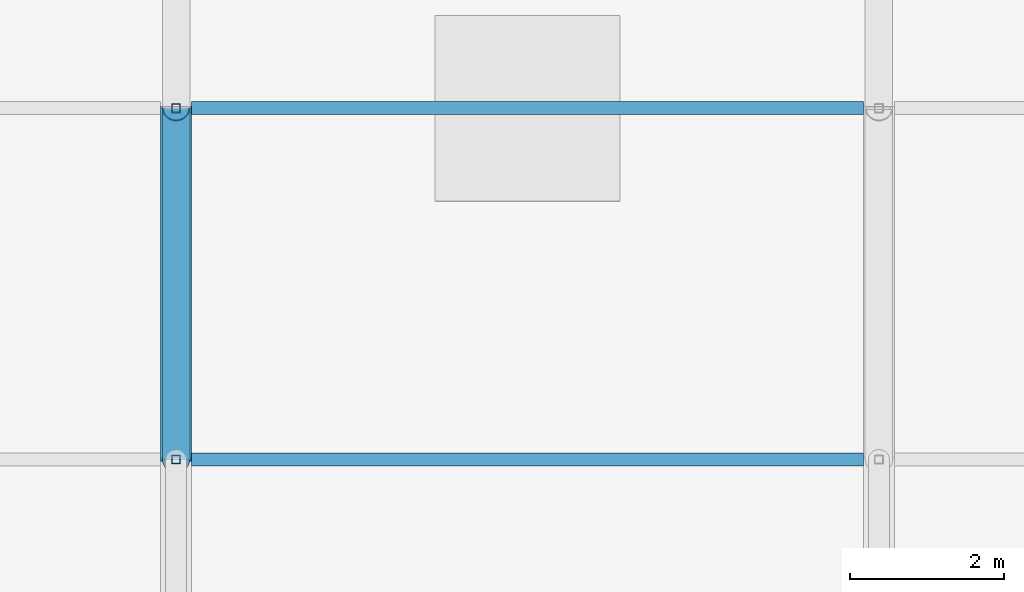
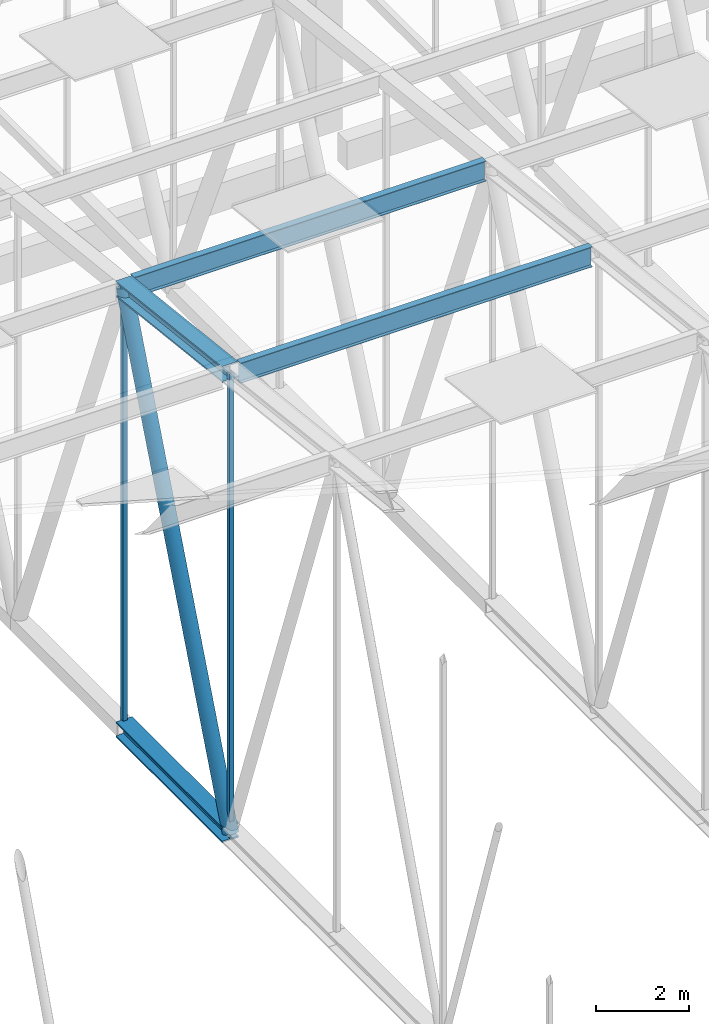
# One storey, part 265 of 500: 7 members.
"""IFC4 building model written with IfcOpenShell, lengths in metres."""

from ifc_helpers import new_model, si_unit, direction, frame, origin, origin_2d, place, context, subcontext, project, spatial, hollow_rectangle, hollow_circle, i_section, extrude, material, material_profile, profile_set, type_object, element, save


model = new_model("IFC4")

# Units and contexts
model_context = context("Model", 3, precision=1e-05, world=origin(), true_north=direction((0.0, 1.0)))
body_context = subcontext(model_context, "Body", "Model", "MODEL_VIEW")
ifc_project = project(units=[si_unit("LENGTHUNIT", "METRE"), si_unit("AREAUNIT", "SQUARE_METRE"), si_unit("VOLUMEUNIT", "CUBIC_METRE"), si_unit("PLANEANGLEUNIT", "RADIAN"), si_unit("MASSUNIT", "GRAM", prefix="KILO")], contexts=[model_context])

# Site, building, storey
site_placement = place(None, origin())
site = spatial("IfcSite", under=ifc_project, at=site_placement, CompositionType="ELEMENT")
building_placement = place(site_placement, origin())
building = spatial("IfcBuilding", under=site, at=building_placement, Name="Shirokan Park Arena", CompositionType="ELEMENT")
storey_placement = place(building_placement, frame((0.0, 0.0, 29.1201171875)))
storey = spatial("IfcBuildingStorey", under=building, at=storey_placement, Name="L06", CompositionType="ELEMENT", Elevation=29.1201171875)

# Members
ifc_material_1 = material(Name="Steel ASTM A992", Category="steel")
ifc_material_profile_1 = material_profile(ifc_material_1, i_section(OverallWidth=0.40087890625, OverallDepth=0.39892578125, WebThickness=0.02490234375, FlangeThickness=0.03955078125, at=origin_2d()), Name="W360X314")
ifc_profile_set_1 = profile_set([ifc_material_profile_1], Name="Steel ASTM A992")
member_type_1 = type_object("IfcMemberType", Name="Bottom chord W360X314", PredefinedType="CHORD", material=ifc_profile_set_1)
member_1_placement = place(storey_placement, frame((63.699951171875, 72.800048828125, 4.677001953125), z_axis=(0.0, 1.0, 0.0), x_axis=(-1.0, 0.0, 0.0)))
element("IfcMember", 1, at=member_1_placement, inside=storey, type_object=member_type_1, Name="Truss T08 bottom chord 19", PredefinedType="CHORD", context=body_context, shape_type="SweptSolid", body=[
    extrude(i_section(OverallWidth=0.40087890625, OverallDepth=0.39892578125, WebThickness=0.02490234375, FlangeThickness=0.03955078125, at=origin_2d()), origin(), (0.0, 0.0, 1.0), 4.550048828125),
])
ifc_material_profile_2 = material_profile(ifc_material_1, i_section(OverallWidth=0.166015625, OverallDepth=0.528076171875, WebThickness=0.009765625, FlangeThickness=0.013671875, at=origin_2d()), Name="W530X74")
ifc_profile_set_2 = profile_set([ifc_material_profile_2], Name="Steel ASTM A992")
member_type_2 = type_object("IfcMemberType", Name="Purlin W530X74", PredefinedType="PURLIN", material=ifc_profile_set_2)
for number, where, z_axis, x_axis, name in (
    (2, (63.900390625, 72.800048828125, 16.64599609375), (1.0, 0.0, 0.0), (0.0, 1.0, 0.0), "Purlin 19 bay 8"),
    (3, (63.900390625, 77.35009765625, 16.1259765625), (1.0, 0.0, 0.0), (0.0, 1.0, 0.0), "Purlin 20 bay 8"),
):
    element("IfcMember", number, at=place(storey_placement, frame(where, z_axis=z_axis, x_axis=x_axis)), inside=storey, type_object=member_type_2, Name=name, PredefinedType="PURLIN", context=body_context, shape_type="SweptSolid", body=[
        extrude(i_section(OverallWidth=0.166015625, OverallDepth=0.528076171875, WebThickness=0.009765625, FlangeThickness=0.013671875, at=origin_2d()), origin(), (0.0, 0.0, 1.0), 8.69921875),
    ])
ifc_material_profile_3 = material_profile(ifc_material_1, i_section(OverallWidth=0.40087890625, OverallDepth=0.39892578125, WebThickness=0.02490234375, FlangeThickness=0.03955078125, at=origin_2d()), Name="W360X314")
ifc_profile_set_3 = profile_set([ifc_material_profile_3], Name="Steel ASTM A992")
member_type_3 = type_object("IfcMemberType", Name="Top chord W360X314", PredefinedType="CHORD", material=ifc_profile_set_3)
member_2_placement = place(storey_placement, frame((63.699951171875, 72.800048828125, 16.701416015625), z_axis=(0.0, 0.993532328996, -0.113549598152), x_axis=(-1.0, 0.0, 0.0)))
element("IfcMember", 4, at=member_2_placement, inside=storey, type_object=member_type_3, Name="Truss T08 top chord 19", PredefinedType="CHORD", context=body_context, shape_type="SweptSolid", body=[
    extrude(i_section(OverallWidth=0.40087890625, OverallDepth=0.39892578125, WebThickness=0.02490234375, FlangeThickness=0.03955078125, at=origin_2d()), origin(), (0.0, 0.0, 1.0), 4.57958984375),
])
ifc_material_2 = material(Name="Steel ASTM A500 Grade C", Category="steel")
ifc_material_profile_4 = material_profile(ifc_material_2, hollow_circle(Radius=0.177978515625, WallThickness=0.0126953125, at=origin_2d()), Name="HSS355.6X12.7")
ifc_profile_set_4 = profile_set([ifc_material_profile_4], Name="Steel ASTM A500 Grade C")
member_type_4 = type_object("IfcMemberType", Name="Truss diagonal HSS355.6X12.7", PredefinedType="BRACE", material=ifc_profile_set_4)
member_3_placement = place(storey_placement, frame((63.699951171875, 72.800048828125, 4.677001953125), z_axis=(0.0, 0.367784702528, 0.929910970248), x_axis=(-1.0, 0.0, 0.0)))
element("IfcMember", 5, at=member_3_placement, inside=storey, type_object=member_type_4, Name="Truss T08 diagonal 19", PredefinedType="BRACE", context=body_context, shape_type="SweptSolid", body=[
    extrude(hollow_circle(Radius=0.177978515625, WallThickness=0.0126953125, at=origin_2d()), origin(), (0.0, 0.0, 1.0), 12.37158203125),
])
ifc_material_profile_5 = material_profile(ifc_material_2, hollow_rectangle(XDim=0.114013671875, YDim=0.114013671875, WallThickness=0.00634765625, at=origin_2d()), Name="HSS114.3X114.3X6.4")
ifc_profile_set_5 = profile_set([ifc_material_profile_5], Name="Steel ASTM A500 Grade C")
member_type_5 = type_object("IfcMemberType", Name="Truss post HSS114.3X114.3X6.4", PredefinedType="POST", material=ifc_profile_set_5)
member_4_placement = place(storey_placement, frame((63.699951171875, 72.800048828125, 4.677001953125), z_axis=(0.0, 0.0, 1.0), x_axis=(1.0, 0.0, 0.0)))
element("IfcMember", 6, at=member_4_placement, inside=storey, type_object=member_type_5, Name="Truss T08 post 19", PredefinedType="POST", context=body_context, shape_type="SweptSolid", body=[
    extrude(hollow_rectangle(XDim=0.114013671875, YDim=0.114013671875, WallThickness=0.00634765625, at=origin_2d()), origin(), (0.0, 0.0, 1.0), 12.0244140625),
])
member_5_placement = place(storey_placement, frame((63.699951171875, 77.35009765625, 4.677001953125), z_axis=(0.0, 0.0, 1.0), x_axis=(1.0, 0.0, 0.0)))
element("IfcMember", 7, at=member_5_placement, inside=storey, type_object=member_type_5, Name="Truss T08 post 20", PredefinedType="POST", context=body_context, shape_type="SweptSolid", body=[
    extrude(hollow_rectangle(XDim=0.114013671875, YDim=0.114013671875, WallThickness=0.00634765625, at=origin_2d()), origin(), (0.0, 0.0, 1.0), 11.50439453125),
])

save(model, "model.ifc")
